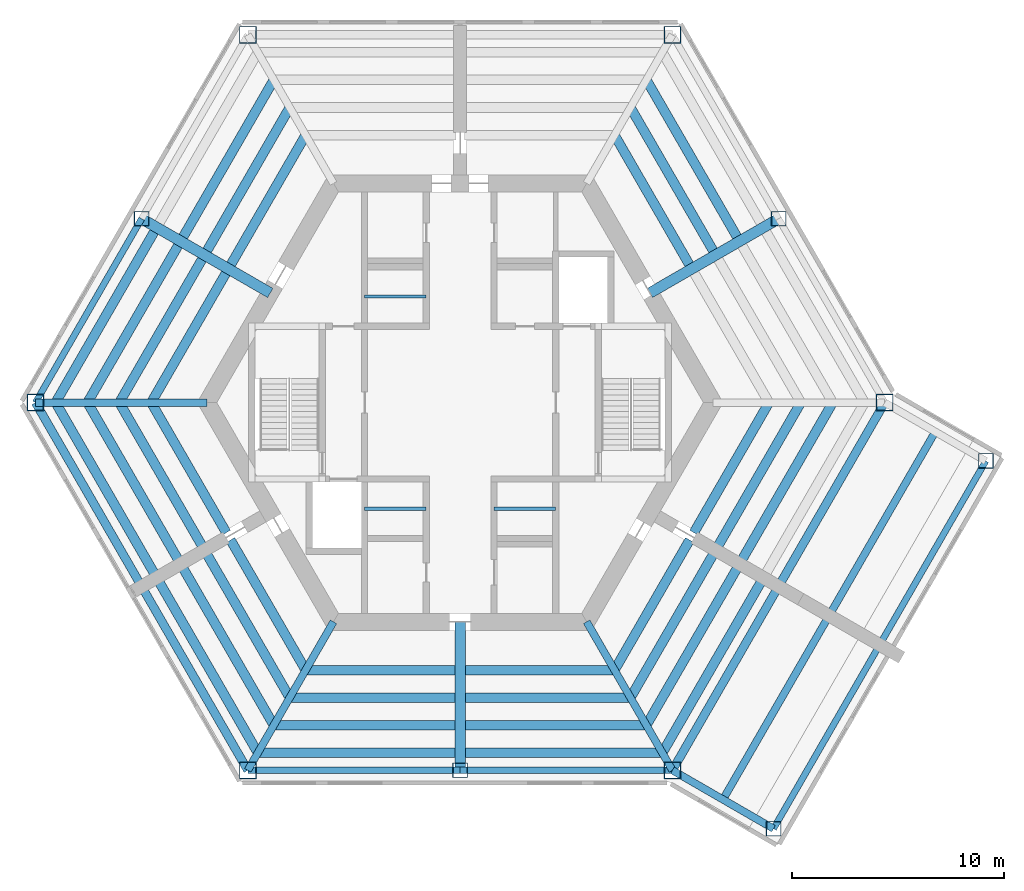
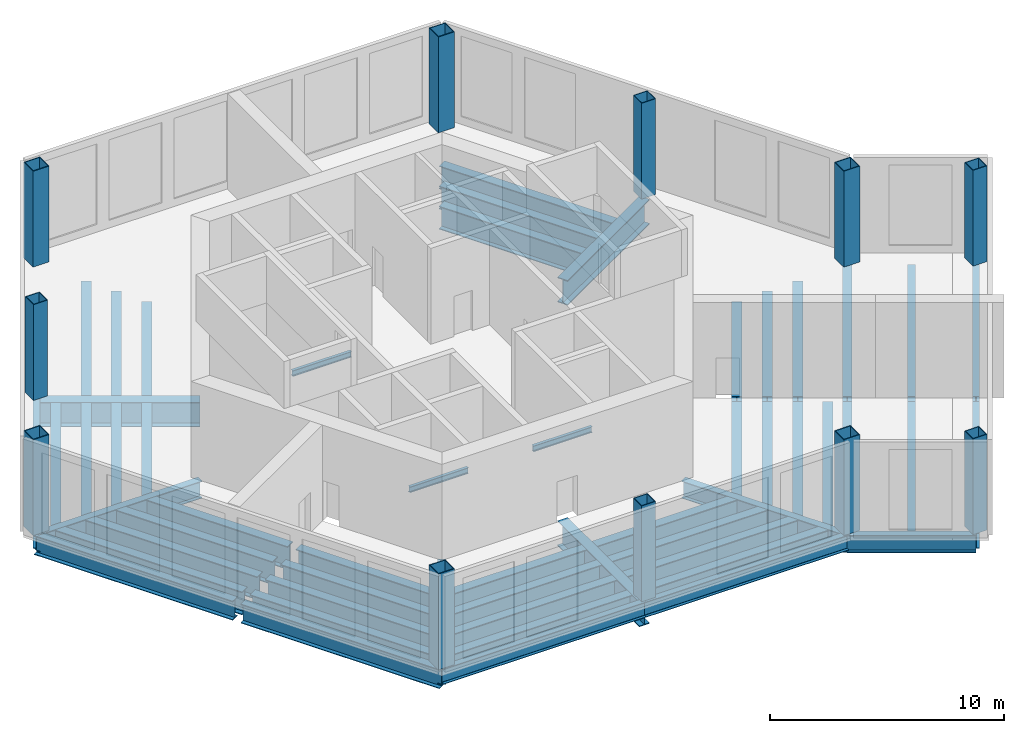
# One storey, part 1 of 8: 54 beams, 11 columns.
"""IFC4 building model written with IfcOpenShell, lengths in metres."""

import ifcopenshell
import ifcopenshell.guid

model = None  # the IFC model being written
_history = None  # IfcOwnerHistory: only IFC2X3 demands one
_inside = {}  # id of a spatial element -> (the spatial element, [elements in it])
_under = {}  # id of a project, library or spatial element -> (it, [spatial elements below it])
_declared = {}  # id of a project -> (the project, [libraries it declares])
_typed = {}  # id of a type object -> (the type object, [elements of that type])
_made_of = {}  # id of a material, layer set ... -> (it, [elements and type objects made of it])


def new_model(schema):
    """Start an empty IFC model of exactly this schema.

    Asked for "IFC4X3", IfcOpenShell would pick the latest addendum, in which some entities
    have other attributes; the version numbers below select the first issue.
    IFC2X3 requires an IfcOwnerHistory on every rooted entity: one is made here for all.
    """
    global model, _history
    if schema == "IFC4X3":
        model = ifcopenshell.file(schema_version=(4, 3, 0, 0))
    else:
        model = ifcopenshell.file(schema=schema)
    _inside.clear()
    _under.clear()
    _declared.clear()
    _typed.clear()
    _made_of.clear()
    _history = None
    if model.schema == "IFC2X3":
        org = make("IfcOrganization", Name="unknown")
        user = make(
            "IfcPersonAndOrganization",
            ThePerson=make("IfcPerson", FamilyName="unknown"),
            TheOrganization=org,
        )
        app = make(
            "IfcApplication",
            ApplicationDeveloper=org,
            Version="unknown",
            ApplicationFullName="unknown",
            ApplicationIdentifier="unknown",
        )
        _history = make(
            "IfcOwnerHistory",
            OwningUser=user,
            OwningApplication=app,
            ChangeAction="ADDED",
            CreationDate=0,
        )
    return model


def make(cls, **values):
    """One entity of the class cls with the attributes given. An attribute that is None is left unset."""
    return model.create_entity(
        cls, **{name: value for name, value in values.items() if value is not None}
    )


def rooted(cls, **values):
    """An entity with a GlobalId (a new one), such as an element, a storey or a relation."""
    return make(cls, GlobalId=ifcopenshell.guid.new(), OwnerHistory=_history, **values)


def si_unit(unit_type, name, prefix=None):
    """IfcSIUnit, for example si_unit("LENGTHUNIT", "METRE", prefix="MILLI")."""
    return make("IfcSIUnit", UnitType=unit_type, Prefix=prefix, Name=name)


def assignment(units):
    """IfcUnitAssignment: the units of a project."""
    return None if units is None else make("IfcUnitAssignment", Units=units)


def point(xyz):
    """IfcCartesianPoint."""
    return None if xyz is None else make("IfcCartesianPoint", Coordinates=xyz)


def direction(xyz):
    """IfcDirection."""
    return None if xyz is None else make("IfcDirection", DirectionRatios=xyz)


def frame(location, z_axis=None, x_axis=None):
    """IfcAxis2Placement3D, a coordinate frame: its origin and axes. An axis left out is left unset."""
    return make(
        "IfcAxis2Placement3D",
        Location=point(location),
        Axis=direction(z_axis),
        RefDirection=direction(x_axis),
    )


def frame_2d(location, x_axis=None):
    """IfcAxis2Placement2D, a coordinate frame in the plane: its origin and x axis."""
    return make(
        "IfcAxis2Placement2D", Location=point(location), RefDirection=direction(x_axis)
    )


def origin():
    """The frame at (0, 0, 0) with its axes left unset."""
    return frame((0.0, 0.0, 0.0))


def origin_2d():
    """The frame at (0, 0) in the plane with its x axis left unset."""
    return frame_2d((0.0, 0.0))


def place(relative_to, where):
    """IfcLocalPlacement: puts the frame where relative to a parent placement (None: the world)."""
    return make(
        "IfcLocalPlacement", PlacementRelTo=relative_to, RelativePlacement=where
    )


def context(
    kind, dimensions, precision=None, world=None, true_north=None, identifier=None
):
    """IfcGeometricRepresentationContext, for example the 3D "Model" context."""
    return make(
        "IfcGeometricRepresentationContext",
        ContextIdentifier=identifier,
        ContextType=kind,
        CoordinateSpaceDimension=dimensions,
        Precision=precision,
        WorldCoordinateSystem=world,
        TrueNorth=true_north,
    )


def subcontext(parent, identifier, kind, view, scale=None):
    """IfcGeometricRepresentationSubContext, for example "Body" below "Model"."""
    return make(
        "IfcGeometricRepresentationSubContext",
        ContextIdentifier=identifier,
        ContextType=kind,
        ParentContext=parent,
        TargetScale=scale,
        TargetView=view,
    )


def project(units=None, contexts=None):
    """IfcProject with its units and contexts."""
    return rooted(
        "IfcProject",
        Name="project",
        RepresentationContexts=contexts,
        UnitsInContext=assignment(units),
    )


def spatial(cls, under=None, at=None, **own):
    """A site, building, storey or space (cls), placed at a placement, below another one or the project."""
    s = rooted(cls, ObjectPlacement=at, **own)
    if under is not None:
        _under.setdefault(under.id(), (under, []))[1].append(s)
    return s


def profile(cls, at=None, kind="AREA", **sizes):
    """A parametric profile (cls). Its sizes go by their IFC names, for example OverallWidth=200.0."""
    return make(cls, ProfileType=kind, Position=at, **sizes)


def hollow_rectangle(**sizes):
    """IfcRectangleHollowProfileDef."""
    return profile("IfcRectangleHollowProfileDef", **sizes)


def i_section(**sizes):
    """IfcIShapeProfileDef."""
    return profile("IfcIShapeProfileDef", **sizes)


def extrude(swept, where, along, depth):
    """IfcExtrudedAreaSolid: the profile swept, set in the frame where, extruded along a direction by depth."""
    return make(
        "IfcExtrudedAreaSolid",
        SweptArea=swept,
        Position=where,
        ExtrudedDirection=direction(along),
        Depth=depth,
    )


def shape(context_of_items, identifier, shape_type, items):
    """IfcShapeRepresentation: the items that make up one representation, for example the "Body"."""
    return make(
        "IfcShapeRepresentation",
        ContextOfItems=context_of_items,
        RepresentationIdentifier=identifier,
        RepresentationType=shape_type,
        Items=items,
    )


def material(Name=None, Category=None):
    """IfcMaterial."""
    return make("IfcMaterial", Name=Name, Category=Category)


def material_profile(
    of_material, cross_section, Name=None, Category=None, Priority=None
):
    """IfcMaterialProfile: a cross section and its material."""
    return make(
        "IfcMaterialProfile",
        Name=Name,
        Material=of_material,
        Profile=cross_section,
        Priority=Priority,
        Category=Category,
    )


def profile_set(profiles, Name=None, composite=None):
    """IfcMaterialProfileSet."""
    return make(
        "IfcMaterialProfileSet",
        Name=Name,
        MaterialProfiles=profiles,
        CompositeProfile=composite,
    )


def made_of(thing, what):
    """Note that an element or type object is made of a material, layer set ...; save() writes the relation."""
    if what is not None:
        _made_of.setdefault(what.id(), (what, []))[1].append(thing)
    return thing


def type_object(cls, material=None, **own):
    """A type object (cls), such as IfcWallType, which elements share."""
    return made_of(rooted(cls, **own), material)


def element(
    cls,
    number,
    at=None,
    inside=None,
    cuts=None,
    type_object=None,
    material=None,
    context=None,
    identifier="Body",
    shape_type=None,
    held_by="IfcProductDefinitionShape",
    body=None,
    shapes=None,
    **own,
):
    """One element of the class cls, such as IfcWall. Its Tag is "e" and its number.

    at: its placement. inside: the storey or other place that contains it. cuts: it is an
    opening in that element (IfcRelVoidsElement). A single representation is given by context,
    identifier, shape_type and body (its items); several are given by shapes. held_by: the class
    of the entity that holds the representations. save() writes the other relations.
    """
    e = rooted(cls, Tag="e%d" % number, ObjectPlacement=at, **own)
    if body is not None:
        shapes = [shape(context, identifier, shape_type, body)]
    if shapes is not None:
        e.Representation = make(held_by, Representations=shapes)
    if inside is not None:
        _inside.setdefault(inside.id(), (inside, []))[1].append(e)
    if cuts is not None:
        rooted(
            "IfcRelVoidsElement", RelatingBuildingElement=cuts, RelatedOpeningElement=e
        )
    if type_object is not None:
        _typed.setdefault(type_object.id(), (type_object, []))[1].append(e)
    return made_of(e, material)


def aggregate(whole, parts):
    """IfcRelAggregates: a whole, such as a stair, and the parts it consists of."""
    return rooted("IfcRelAggregates", RelatingObject=whole, RelatedObjects=parts)


def save(model, path):
    """Write the relations noted so far, then the file.

    IfcRelAggregates (storeys below a building ...), IfcRelContainedInSpatialStructure (elements
    in a storey), IfcRelDefinesByType, IfcRelAssociatesMaterial and IfcRelDeclares: one each for
    every whole, place, type object, material and project.
    """
    for whole, parts in _under.values():
        aggregate(whole, parts)
    for where, things in _inside.values():
        rooted(
            "IfcRelContainedInSpatialStructure",
            RelatedElements=things,
            RelatingStructure=where,
        )
    for kind, things in _typed.values():
        rooted("IfcRelDefinesByType", RelatedObjects=things, RelatingType=kind)
    for what, things in _made_of.values():
        rooted("IfcRelAssociatesMaterial", RelatedObjects=things, RelatingMaterial=what)
    for by, libraries in _declared.values():
        rooted("IfcRelDeclares", RelatingContext=by, RelatedDefinitions=libraries)
    model.write(path)


model = new_model("IFC4")

# Units and contexts
model_context = context("Model", 3, precision=1e-05, world=origin(), true_north=direction((0.0, 1.0)))
body_context = subcontext(model_context, "Body", "Model", "MODEL_VIEW")
ifc_project = project(units=[si_unit("LENGTHUNIT", "METRE"), si_unit("AREAUNIT", "SQUARE_METRE"), si_unit("VOLUMEUNIT", "CUBIC_METRE"), si_unit("PLANEANGLEUNIT", "RADIAN"), si_unit("MASSUNIT", "GRAM", prefix="KILO")], contexts=[model_context])

# Site, building, storey
site_placement = place(None, origin())
site = spatial("IfcSite", under=ifc_project, at=site_placement, CompositionType="ELEMENT")
building_placement = place(site_placement, origin())
building = spatial("IfcBuilding", under=site, at=building_placement, Name="Kasaneha Research Tower", CompositionType="ELEMENT")
storey_placement = place(building_placement, frame((0.0, 0.0, 302.5)))
storey = spatial("IfcBuildingStorey", under=building, at=storey_placement, Name="L76", CompositionType="ELEMENT", Elevation=302.5)

# Columns
ifc_material_1 = material(Name="Steel SN490C", Category="steel")
ifc_material_profile_1 = material_profile(ifc_material_1, hollow_rectangle(XDim=0.800048828125, YDim=0.800048828125, WallThickness=0.0400390625, at=origin_2d()), Name="BOX-800x800x40")
ifc_profile_set_1 = profile_set([ifc_material_profile_1], Name="Steel SN490C")
column_type_1 = type_object("IfcColumnType", Name="C4A column BOX-800x800x40", PredefinedType="COLUMN", material=ifc_profile_set_1)
for number, where, z_axis, x_axis, name in (
    (1, (20.0, 0.0, 0.0), (0.0, 0.0, 1.0), (1.0, 0.0, 0.0), "Column V0 L76"),
    (2, (10.0, 17.320556640625, 0.0), (0.0, 0.0, 1.0), (1.0, 0.0, 0.0), "Column V1 L76"),
    (3, (-10.0, 17.320556640625, 0.0), (0.0, 0.0, 1.0), (1.0, 0.0, 0.0), "Column V2 L76"),
    (4, (-20.0, 0.0, 0.0), (0.0, 0.0, 1.0), (1.0, 0.0, 0.0), "Column V3 L76"),
    (5, (-10.0, -17.320556640625, 0.0), (0.0, 0.0, 1.0), (1.0, 0.0, 0.0), "Column V4 L76"),
    (6, (10.0, -17.320556640625, 0.0), (0.0, 0.0, 1.0), (1.0, 0.0, 0.0), "Column V5 L76"),
):
    element("IfcColumn", number, at=place(storey_placement, frame(where, z_axis=z_axis, x_axis=x_axis)), inside=storey, type_object=column_type_1, Name=name, PredefinedType="COLUMN", context=body_context, shape_type="SweptSolid", body=[
        extrude(hollow_rectangle(XDim=0.800048828125, YDim=0.800048828125, WallThickness=0.0400390625, at=origin_2d()), origin(), (0.0, 0.0, 1.0), 5.0),
    ])
ifc_material_2 = material(Name="Steel SN490C", Category="steel")
ifc_material_profile_2 = material_profile(ifc_material_2, hollow_rectangle(XDim=0.699951171875, YDim=0.699951171875, WallThickness=0.031982421875, at=origin_2d()), Name="BOX-700x700x32")
ifc_profile_set_2 = profile_set([ifc_material_profile_2], Name="Steel SN490C")
column_type_2 = type_object("IfcColumnType", Name="C4B column BOX-700x700x32", PredefinedType="COLUMN", material=ifc_profile_set_2)
for number, where, z_axis, x_axis, name in (
    (7, (15.0, 8.66015625, 0.0), (0.0, 0.0, 1.0), (1.0, 0.0, 0.0), "Column M030 L76"),
    (8, (-15.0, 8.66015625, 0.0), (0.0, 0.0, 1.0), (1.0, 0.0, 0.0), "Column M150 L76"),
    (9, (0.0, -17.320556640625, 0.0), (0.0, 0.0, 1.0), (1.0, 0.0, 0.0), "Column M270 L76"),
    (10, (14.76318359375, -20.070556640625, 0.0), (0.0, 0.0, 1.0), (1.0, 0.0, 0.0), "Column CSP L76"),
    (11, (24.76318359375, -2.75, 0.0), (0.0, 0.0, 1.0), (1.0, 0.0, 0.0), "Column CSN L76"),
):
    element("IfcColumn", number, at=place(storey_placement, frame(where, z_axis=z_axis, x_axis=x_axis)), inside=storey, type_object=column_type_2, Name=name, PredefinedType="COLUMN", context=body_context, shape_type="SweptSolid", body=[
        extrude(hollow_rectangle(XDim=0.699951171875, YDim=0.699951171875, WallThickness=0.031982421875, at=origin_2d()), origin(), (0.0, 0.0, 1.0), 5.0),
    ])

# Beams
ifc_material_3 = material(Name="Steel SN490B", Category="steel")
ifc_material_profile_3 = material_profile(ifc_material_3, i_section(OverallWidth=0.449951171875, OverallDepth=1.199951171875, WebThickness=0.02197265625, FlangeThickness=0.0400390625, at=origin_2d()), Name="BH-1200x450x22x40")
ifc_profile_set_3 = profile_set([ifc_material_profile_3], Name="Steel SN490B")
beam_type_1 = type_object("IfcBeamType", Name="B1-5 secondary beam BH-1200x450x22x40", PredefinedType="JOIST", material=ifc_profile_set_3)
beam_1_placement = place(storey_placement, frame((7.274658203125, 12.60009765625, -0.85009765625), z_axis=(0.499989208252, -0.866031634313, 0.0), x_axis=(0.866031634313, 0.499989208252, 0.0)))
element("IfcBeam", 12, at=beam_1_placement, inside=storey, type_object=beam_type_1, Name="Secondary beam RS030R1 L76", PredefinedType="JOIST", context=body_context, shape_type="SweptSolid", body=[
    extrude(i_section(OverallWidth=0.449951171875, OverallDepth=1.199951171875, WebThickness=0.02197265625, FlangeThickness=0.0400390625, at=origin_2d()), origin(), (0.0, 0.0, 1.0), 7.024658203125),
])
beam_2_placement = place(storey_placement, frame((8.025146484375, 13.89990234375, -0.85009765625), z_axis=(0.500016004, -0.866016163673, 0.0), x_axis=(0.866016163673, 0.500016004, 0.0)))
element("IfcBeam", 13, at=beam_2_placement, inside=storey, type_object=beam_type_1, Name="Secondary beam RS030R2 L76", PredefinedType="JOIST", context=body_context, shape_type="SweptSolid", body=[
    extrude(i_section(OverallWidth=0.449951171875, OverallDepth=1.199951171875, WebThickness=0.02197265625, FlangeThickness=0.0400390625, at=origin_2d()), origin(), (0.0, 0.0, 1.0), 7.775146484375),
])
beam_3_placement = place(storey_placement, frame((8.775634765625, 15.199951171875, -0.85009765625), z_axis=(0.500004205306, -0.866022975836, 0.0), x_axis=(0.866022975836, 0.500004205306, 0.0)))
element("IfcBeam", 14, at=beam_3_placement, inside=storey, type_object=beam_type_1, Name="Secondary beam RS030R3 L76", PredefinedType="JOIST", context=body_context, shape_type="SweptSolid", body=[
    extrude(i_section(OverallWidth=0.449951171875, OverallDepth=1.199951171875, WebThickness=0.02197265625, FlangeThickness=0.0400390625, at=origin_2d()), origin(), (0.0, 0.0, 1.0), 8.52587890625),
])
beam_4_placement = place(storey_placement, frame((-7.274658203125, 12.60009765625, -0.85009765625), z_axis=(-0.499989208252, -0.866031634313, 0.0), x_axis=(0.866031634313, -0.499989208252, 0.0)))
element("IfcBeam", 15, at=beam_4_placement, inside=storey, type_object=beam_type_1, Name="Secondary beam RS150L1 L76", PredefinedType="JOIST", context=body_context, shape_type="SweptSolid", body=[
    extrude(i_section(OverallWidth=0.449951171875, OverallDepth=1.199951171875, WebThickness=0.02197265625, FlangeThickness=0.0400390625, at=origin_2d()), origin(), (0.0, 0.0, 1.0), 7.024658203125),
])
beam_5_placement = place(storey_placement, frame((-8.025146484375, 13.89990234375, -0.85009765625), z_axis=(-0.500016004, -0.866016163673, 0.0), x_axis=(0.866016163673, -0.500016004, 0.0)))
element("IfcBeam", 16, at=beam_5_placement, inside=storey, type_object=beam_type_1, Name="Secondary beam RS150L2 L76", PredefinedType="JOIST", context=body_context, shape_type="SweptSolid", body=[
    extrude(i_section(OverallWidth=0.449951171875, OverallDepth=1.199951171875, WebThickness=0.02197265625, FlangeThickness=0.0400390625, at=origin_2d()), origin(), (0.0, 0.0, 1.0), 7.775146484375),
])
beam_6_placement = place(storey_placement, frame((-8.775634765625, 15.199951171875, -0.85009765625), z_axis=(-0.500004205306, -0.866022975836, 0.0), x_axis=(0.866022975836, -0.500004205306, 0.0)))
element("IfcBeam", 17, at=beam_6_placement, inside=storey, type_object=beam_type_1, Name="Secondary beam RS150L3 L76", PredefinedType="JOIST", context=body_context, shape_type="SweptSolid", body=[
    extrude(i_section(OverallWidth=0.449951171875, OverallDepth=1.199951171875, WebThickness=0.02197265625, FlangeThickness=0.0400390625, at=origin_2d()), origin(), (0.0, 0.0, 1.0), 8.52587890625),
])
beam_7_placement = place(storey_placement, frame((-14.54931640625, 0.0, -0.85009765625), z_axis=(0.500015274395, 0.866016584929, 0.0), x_axis=(-0.866016584929, 0.500015274395, 0.0)))
element("IfcBeam", 18, at=beam_7_placement, inside=storey, type_object=beam_type_1, Name="Secondary beam RS150R1 L76", PredefinedType="JOIST", context=body_context, shape_type="SweptSolid", body=[
    extrude(i_section(OverallWidth=0.449951171875, OverallDepth=1.199951171875, WebThickness=0.02197265625, FlangeThickness=0.0400390625, at=origin_2d()), origin(), (0.0, 0.0, 1.0), 7.024658203125),
])
beam_8_placement = place(storey_placement, frame((-16.05029296875, 0.0, -0.85009765625), z_axis=(0.499992453835, 0.866029760521, 0.0), x_axis=(-0.866029760521, 0.499992453835, 0.0)))
element("IfcBeam", 19, at=beam_8_placement, inside=storey, type_object=beam_type_1, Name="Secondary beam RS150R2 L76", PredefinedType="JOIST", context=body_context, shape_type="SweptSolid", body=[
    extrude(i_section(OverallWidth=0.449951171875, OverallDepth=1.199951171875, WebThickness=0.02197265625, FlangeThickness=0.0400390625, at=origin_2d()), origin(), (0.0, 0.0, 1.0), 7.77490234375),
])
beam_9_placement = place(storey_placement, frame((-17.551513671875, 0.0, -0.85009765625), z_axis=(0.500004205306, 0.866022975836, 0.0), x_axis=(-0.866022975836, 0.500004205306, 0.0)))
element("IfcBeam", 20, at=beam_9_placement, inside=storey, type_object=beam_type_1, Name="Secondary beam RS150R3 L76", PredefinedType="JOIST", context=body_context, shape_type="SweptSolid", body=[
    extrude(i_section(OverallWidth=0.449951171875, OverallDepth=1.199951171875, WebThickness=0.02197265625, FlangeThickness=0.0400390625, at=origin_2d()), origin(), (0.0, 0.0, 1.0), 8.52587890625),
])
beam_10_placement = place(storey_placement, frame((-19.052490234375, 0.0, -0.85009765625), z_axis=(0.500005712346, 0.866022105735, 0.0), x_axis=(-0.866022105735, 0.500005712346, 0.0)))
element("IfcBeam", 21, at=beam_10_placement, inside=storey, type_object=beam_type_1, Name="Secondary beam RS150R4 L76", PredefinedType="JOIST", context=body_context, shape_type="SweptSolid", body=[
    extrude(i_section(OverallWidth=0.449951171875, OverallDepth=1.199951171875, WebThickness=0.02197265625, FlangeThickness=0.0400390625, at=origin_2d()), origin(), (0.0, 0.0, 1.0), 9.2763671875),
])
beam_11_placement = place(storey_placement, frame((-14.54931640625, 0.0, -0.85009765625), z_axis=(0.500010223309, -0.866019501273, 0.0), x_axis=(0.866019501273, 0.500010223309, 0.0)))
element("IfcBeam", 22, at=beam_11_placement, inside=storey, type_object=beam_type_1, Name="Secondary beam RS210L1 L76", PredefinedType="JOIST", context=body_context, shape_type="SweptSolid", body=[
    extrude(i_section(OverallWidth=0.449951171875, OverallDepth=1.199951171875, WebThickness=0.02197265625, FlangeThickness=0.0400390625, at=origin_2d()), origin(), (0.0, 0.0, 1.0), 7.074462890625),
])
beam_12_placement = place(storey_placement, frame((-16.05029296875, 0.0, -0.85009765625), z_axis=(0.499997922785, -0.866026603062, 0.0), x_axis=(0.866026603062, 0.499997922785, 0.0)))
element("IfcBeam", 23, at=beam_12_placement, inside=storey, type_object=beam_type_1, Name="Secondary beam RS210L2 L76", PredefinedType="JOIST", context=body_context, shape_type="SweptSolid", body=[
    extrude(i_section(OverallWidth=0.449951171875, OverallDepth=1.199951171875, WebThickness=0.02197265625, FlangeThickness=0.0400390625, at=origin_2d()), origin(), (0.0, 0.0, 1.0), 7.8251953125),
])
beam_13_placement = place(storey_placement, frame((-17.551513671875, 0.0, -0.85009765625), z_axis=(0.500000102728, -0.866025344474, 0.0), x_axis=(0.866025344474, 0.500000102728, 0.0)))
element("IfcBeam", 24, at=beam_13_placement, inside=storey, type_object=beam_type_1, Name="Secondary beam RS210L3 L76", PredefinedType="JOIST", context=body_context, shape_type="SweptSolid", body=[
    extrude(i_section(OverallWidth=0.449951171875, OverallDepth=1.199951171875, WebThickness=0.02197265625, FlangeThickness=0.0400390625, at=origin_2d()), origin(), (0.0, 0.0, 1.0), 8.57568359375),
])
beam_14_placement = place(storey_placement, frame((-19.052490234375, 0.0, -0.85009765625), z_axis=(0.499990596569, -0.86603083279, 0.0), x_axis=(0.86603083279, 0.499990596569, 0.0)))
element("IfcBeam", 25, at=beam_14_placement, inside=storey, type_object=beam_type_1, Name="Secondary beam RS210L4 L76", PredefinedType="JOIST", context=body_context, shape_type="SweptSolid", body=[
    extrude(i_section(OverallWidth=0.449951171875, OverallDepth=1.199951171875, WebThickness=0.02197265625, FlangeThickness=0.0400390625, at=origin_2d()), origin(), (0.0, 0.0, 1.0), 9.326416015625),
])
beam_15_placement = place(storey_placement, frame((-7.274658203125, -12.60009765625, -0.85009765625), z_axis=(-0.499995280364, 0.86602812865, 0.0), x_axis=(-0.86602812865, -0.499995280364, 0.0)))
element("IfcBeam", 26, at=beam_15_placement, inside=storey, type_object=beam_type_1, Name="Secondary beam RS210R1 L76", PredefinedType="JOIST", context=body_context, shape_type="SweptSolid", body=[
    extrude(i_section(OverallWidth=0.449951171875, OverallDepth=1.199951171875, WebThickness=0.02197265625, FlangeThickness=0.0400390625, at=origin_2d()), origin(), (0.0, 0.0, 1.0), 7.07470703125),
])
beam_16_placement = place(storey_placement, frame((-8.025146484375, -13.89990234375, -0.85009765625), z_axis=(-0.500011432689, 0.866018803018, 0.0), x_axis=(-0.866018803018, -0.500011432689, 0.0)))
element("IfcBeam", 27, at=beam_16_placement, inside=storey, type_object=beam_type_1, Name="Secondary beam RS210R2 L76", PredefinedType="JOIST", context=body_context, shape_type="SweptSolid", body=[
    extrude(i_section(OverallWidth=0.449951171875, OverallDepth=1.199951171875, WebThickness=0.02197265625, FlangeThickness=0.0400390625, at=origin_2d()), origin(), (0.0, 0.0, 1.0), 7.824951171875),
])
beam_17_placement = place(storey_placement, frame((-8.775634765625, -15.199951171875, -0.85009765625), z_axis=(-0.500000102728, 0.866025344474, 0.0), x_axis=(-0.866025344474, -0.500000102728, 0.0)))
element("IfcBeam", 28, at=beam_17_placement, inside=storey, type_object=beam_type_1, Name="Secondary beam RS210R3 L76", PredefinedType="JOIST", context=body_context, shape_type="SweptSolid", body=[
    extrude(i_section(OverallWidth=0.449951171875, OverallDepth=1.199951171875, WebThickness=0.02197265625, FlangeThickness=0.0400390625, at=origin_2d()), origin(), (0.0, 0.0, 1.0), 8.57568359375),
])
beam_18_placement = place(storey_placement, frame((-9.5263671875, -16.5, -0.85009765625), z_axis=(-0.499990596569, 0.86603083279, 0.0), x_axis=(-0.86603083279, -0.499990596569, 0.0)))
element("IfcBeam", 29, at=beam_18_placement, inside=storey, type_object=beam_type_1, Name="Secondary beam RS210R4 L76", PredefinedType="JOIST", context=body_context, shape_type="SweptSolid", body=[
    extrude(i_section(OverallWidth=0.449951171875, OverallDepth=1.199951171875, WebThickness=0.02197265625, FlangeThickness=0.0400390625, at=origin_2d()), origin(), (0.0, 0.0, 1.0), 9.326416015625),
])
beam_19_placement = place(storey_placement, frame((-7.274658203125, -12.60009765625, -0.85009765625), z_axis=(1.0, 0.0, 0.0), x_axis=(0.0, 1.0, 0.0)))
element("IfcBeam", 30, at=beam_19_placement, inside=storey, type_object=beam_type_1, Name="Secondary beam RS270L1 L76", PredefinedType="JOIST", context=body_context, shape_type="SweptSolid", body=[
    extrude(i_section(OverallWidth=0.449951171875, OverallDepth=1.199951171875, WebThickness=0.02197265625, FlangeThickness=0.0400390625, at=origin_2d()), origin(), (0.0, 0.0, 1.0), 7.024658203125),
])
beam_20_placement = place(storey_placement, frame((-8.025146484375, -13.89990234375, -0.85009765625), z_axis=(1.0, 0.0, 0.0), x_axis=(0.0, 1.0, 0.0)))
element("IfcBeam", 31, at=beam_20_placement, inside=storey, type_object=beam_type_1, Name="Secondary beam RS270L2 L76", PredefinedType="JOIST", context=body_context, shape_type="SweptSolid", body=[
    extrude(i_section(OverallWidth=0.449951171875, OverallDepth=1.199951171875, WebThickness=0.02197265625, FlangeThickness=0.0400390625, at=origin_2d()), origin(), (0.0, 0.0, 1.0), 7.775146484375),
])
beam_21_placement = place(storey_placement, frame((-8.775634765625, -15.199951171875, -0.85009765625), z_axis=(1.0, 0.0, 0.0), x_axis=(0.0, 1.0, 0.0)))
element("IfcBeam", 32, at=beam_21_placement, inside=storey, type_object=beam_type_1, Name="Secondary beam RS270L3 L76", PredefinedType="JOIST", context=body_context, shape_type="SweptSolid", body=[
    extrude(i_section(OverallWidth=0.449951171875, OverallDepth=1.199951171875, WebThickness=0.02197265625, FlangeThickness=0.0400390625, at=origin_2d()), origin(), (0.0, 0.0, 1.0), 8.525634765625),
])
beam_22_placement = place(storey_placement, frame((-9.5263671875, -16.5, -0.85009765625), z_axis=(1.0, 0.0, 0.0), x_axis=(0.0, 1.0, 0.0)))
element("IfcBeam", 33, at=beam_22_placement, inside=storey, type_object=beam_type_1, Name="Secondary beam RS270L4 L76", PredefinedType="JOIST", context=body_context, shape_type="SweptSolid", body=[
    extrude(i_section(OverallWidth=0.449951171875, OverallDepth=1.199951171875, WebThickness=0.02197265625, FlangeThickness=0.0400390625, at=origin_2d()), origin(), (0.0, 0.0, 1.0), 9.2763671875),
])
beam_23_placement = place(storey_placement, frame((7.274658203125, -12.60009765625, -0.85009765625), z_axis=(-1.0, 0.0, 0.0), x_axis=(0.0, -1.0, 0.0)))
element("IfcBeam", 34, at=beam_23_placement, inside=storey, type_object=beam_type_1, Name="Secondary beam RS270R1 L76", PredefinedType="JOIST", context=body_context, shape_type="SweptSolid", body=[
    extrude(i_section(OverallWidth=0.449951171875, OverallDepth=1.199951171875, WebThickness=0.02197265625, FlangeThickness=0.0400390625, at=origin_2d()), origin(), (0.0, 0.0, 1.0), 7.024658203125),
])
beam_24_placement = place(storey_placement, frame((8.025146484375, -13.89990234375, -0.85009765625), z_axis=(-1.0, 0.0, 0.0), x_axis=(0.0, -1.0, 0.0)))
element("IfcBeam", 35, at=beam_24_placement, inside=storey, type_object=beam_type_1, Name="Secondary beam RS270R2 L76", PredefinedType="JOIST", context=body_context, shape_type="SweptSolid", body=[
    extrude(i_section(OverallWidth=0.449951171875, OverallDepth=1.199951171875, WebThickness=0.02197265625, FlangeThickness=0.0400390625, at=origin_2d()), origin(), (0.0, 0.0, 1.0), 7.775146484375),
])
beam_25_placement = place(storey_placement, frame((8.775634765625, -15.199951171875, -0.85009765625), z_axis=(-1.0, 0.0, 0.0), x_axis=(0.0, -1.0, 0.0)))
element("IfcBeam", 36, at=beam_25_placement, inside=storey, type_object=beam_type_1, Name="Secondary beam RS270R3 L76", PredefinedType="JOIST", context=body_context, shape_type="SweptSolid", body=[
    extrude(i_section(OverallWidth=0.449951171875, OverallDepth=1.199951171875, WebThickness=0.02197265625, FlangeThickness=0.0400390625, at=origin_2d()), origin(), (0.0, 0.0, 1.0), 8.525634765625),
])
beam_26_placement = place(storey_placement, frame((9.5263671875, -16.5, -0.85009765625), z_axis=(-1.0, 0.0, 0.0), x_axis=(0.0, -1.0, 0.0)))
element("IfcBeam", 37, at=beam_26_placement, inside=storey, type_object=beam_type_1, Name="Secondary beam RS270R4 L76", PredefinedType="JOIST", context=body_context, shape_type="SweptSolid", body=[
    extrude(i_section(OverallWidth=0.449951171875, OverallDepth=1.199951171875, WebThickness=0.02197265625, FlangeThickness=0.0400390625, at=origin_2d()), origin(), (0.0, 0.0, 1.0), 9.2763671875),
])
beam_27_placement = place(storey_placement, frame((7.274658203125, -12.60009765625, -0.85009765625), z_axis=(0.499995280364, 0.86602812865, 0.0), x_axis=(-0.86602812865, 0.499995280364, 0.0)))
element("IfcBeam", 38, at=beam_27_placement, inside=storey, type_object=beam_type_1, Name="Secondary beam RS330L1 L76", PredefinedType="JOIST", context=body_context, shape_type="SweptSolid", body=[
    extrude(i_section(OverallWidth=0.449951171875, OverallDepth=1.199951171875, WebThickness=0.02197265625, FlangeThickness=0.0400390625, at=origin_2d()), origin(), (0.0, 0.0, 1.0), 7.07470703125),
])
beam_28_placement = place(storey_placement, frame((8.025146484375, -13.89990234375, -0.85009765625), z_axis=(0.500011432689, 0.866018803018, 0.0), x_axis=(-0.866018803018, 0.500011432689, 0.0)))
element("IfcBeam", 39, at=beam_28_placement, inside=storey, type_object=beam_type_1, Name="Secondary beam RS330L2 L76", PredefinedType="JOIST", context=body_context, shape_type="SweptSolid", body=[
    extrude(i_section(OverallWidth=0.449951171875, OverallDepth=1.199951171875, WebThickness=0.02197265625, FlangeThickness=0.0400390625, at=origin_2d()), origin(), (0.0, 0.0, 1.0), 7.824951171875),
])
beam_29_placement = place(storey_placement, frame((8.775634765625, -15.199951171875, -0.85009765625), z_axis=(0.500000102728, 0.866025344474, 0.0), x_axis=(-0.866025344474, 0.500000102728, 0.0)))
element("IfcBeam", 40, at=beam_29_placement, inside=storey, type_object=beam_type_1, Name="Secondary beam RS330L3 L76", PredefinedType="JOIST", context=body_context, shape_type="SweptSolid", body=[
    extrude(i_section(OverallWidth=0.449951171875, OverallDepth=1.199951171875, WebThickness=0.02197265625, FlangeThickness=0.0400390625, at=origin_2d()), origin(), (0.0, 0.0, 1.0), 8.57568359375),
])
beam_30_placement = place(storey_placement, frame((9.5263671875, -16.5, -0.85009765625), z_axis=(0.499990596569, 0.86603083279, 0.0), x_axis=(-0.86603083279, 0.499990596569, 0.0)))
element("IfcBeam", 41, at=beam_30_placement, inside=storey, type_object=beam_type_1, Name="Secondary beam RS330L4 L76", PredefinedType="JOIST", context=body_context, shape_type="SweptSolid", body=[
    extrude(i_section(OverallWidth=0.449951171875, OverallDepth=1.199951171875, WebThickness=0.02197265625, FlangeThickness=0.0400390625, at=origin_2d()), origin(), (0.0, 0.0, 1.0), 9.326416015625),
])
beam_31_placement = place(storey_placement, frame((14.54931640625, 0.0, -0.85009765625), z_axis=(-0.500010223309, -0.866019501273, 0.0), x_axis=(0.866019501273, -0.500010223309, 0.0)))
element("IfcBeam", 42, at=beam_31_placement, inside=storey, type_object=beam_type_1, Name="Secondary beam RS330R1 L76", PredefinedType="JOIST", context=body_context, shape_type="SweptSolid", body=[
    extrude(i_section(OverallWidth=0.449951171875, OverallDepth=1.199951171875, WebThickness=0.02197265625, FlangeThickness=0.0400390625, at=origin_2d()), origin(), (0.0, 0.0, 1.0), 7.074462890625),
])
beam_32_placement = place(storey_placement, frame((16.05029296875, 0.0, -0.85009765625), z_axis=(-0.499997922785, -0.866026603062, 0.0), x_axis=(0.866026603062, -0.499997922785, 0.0)))
element("IfcBeam", 43, at=beam_32_placement, inside=storey, type_object=beam_type_1, Name="Secondary beam RS330R2 L76", PredefinedType="JOIST", context=body_context, shape_type="SweptSolid", body=[
    extrude(i_section(OverallWidth=0.449951171875, OverallDepth=1.199951171875, WebThickness=0.02197265625, FlangeThickness=0.0400390625, at=origin_2d()), origin(), (0.0, 0.0, 1.0), 7.8251953125),
])
beam_33_placement = place(storey_placement, frame((17.551513671875, 0.0, -0.85009765625), z_axis=(-0.500000102728, -0.866025344474, 0.0), x_axis=(0.866025344474, -0.500000102728, 0.0)))
element("IfcBeam", 44, at=beam_33_placement, inside=storey, type_object=beam_type_1, Name="Secondary beam RS330R3 L76", PredefinedType="JOIST", context=body_context, shape_type="SweptSolid", body=[
    extrude(i_section(OverallWidth=0.449951171875, OverallDepth=1.199951171875, WebThickness=0.02197265625, FlangeThickness=0.0400390625, at=origin_2d()), origin(), (0.0, 0.0, 1.0), 8.57568359375),
])
ifc_material_4 = material(Name="Steel SN490B", Category="steel")
ifc_material_profile_4 = material_profile(ifc_material_4, i_section(OverallWidth=0.35009765625, OverallDepth=0.89990234375, WebThickness=0.01611328125, FlangeThickness=0.031982421875, at=origin_2d()), Name="BH-900x350x16x32")
ifc_profile_set_4 = profile_set([ifc_material_profile_4], Name="Steel SN490B")
beam_type_2 = type_object("IfcBeamType", Name="B2-5 secondary beam BH-900x350x16x32", PredefinedType="JOIST", material=ifc_profile_set_4)
for number, where, z_axis, x_axis, name in (
    (45, (12.381591796875, -18.695556640625, -0.699951171875), (0.49999201416, 0.866030014362, 0.0), (-0.866030014362, 0.49999201416, 0.0), "Secondary beam WBCP1 L76"),
    (46, (22.381591796875, -1.375, -0.699951171875), (-0.49999201416, -0.866030014362, 0.0), (0.866030014362, -0.49999201416, 0.0), "Secondary beam WBCN1 L76"),
):
    element("IfcBeam", number, at=place(storey_placement, frame(where, z_axis=z_axis, x_axis=x_axis)), inside=storey, type_object=beam_type_2, Name=name, PredefinedType="JOIST", context=body_context, shape_type="SweptSolid", body=[
        extrude(i_section(OverallWidth=0.35009765625, OverallDepth=0.89990234375, WebThickness=0.01611328125, FlangeThickness=0.031982421875, at=origin_2d()), origin(), (0.0, 0.0, 1.0), 9.800048828125),
    ])
ifc_material_5 = material(Name="Steel SN490B", Category="steel")
ifc_material_profile_5 = material_profile(ifc_material_5, i_section(OverallWidth=0.35009765625, OverallDepth=0.89990234375, WebThickness=0.01611328125, FlangeThickness=0.031982421875, at=origin_2d()), Name="BH-900x350x16x32")
ifc_profile_set_5 = profile_set([ifc_material_profile_5], Name="Steel SN490B")
beam_type_3 = type_object("IfcBeamType", Name="G1-5 radial girder BH-900x350x16x32", PredefinedType="BEAM", material=ifc_profile_set_5)
beam_34_placement = place(storey_placement, frame((-11.92236328125, 0.0, -0.699951171875), z_axis=(-1.0, 0.0, 0.0), x_axis=(0.0, -1.0, 0.0)))
element("IfcBeam", 47, at=beam_34_placement, inside=storey, type_object=beam_type_3, Name="Radial girder RV180 L76", PredefinedType="BEAM", context=body_context, shape_type="SweptSolid", body=[
    extrude(i_section(OverallWidth=0.35009765625, OverallDepth=0.89990234375, WebThickness=0.01611328125, FlangeThickness=0.031982421875, at=origin_2d()), origin(), (0.0, 0.0, 1.0), 8.07763671875),
])
for number, where, z_axis, x_axis, name in (
    (48, (-5.961181640625, -10.324951171875, -0.699951171875), (-0.49999105496, -0.866030568144, 0.0), (0.866030568144, -0.49999105496, 0.0), "Radial girder RV240 L76"),
    (49, (5.961181640625, -10.324951171875, -0.699951171875), (0.49999105496, -0.866030568144, 0.0), (0.866030568144, 0.49999105496, 0.0), "Radial girder RV300 L76"),
):
    element("IfcBeam", number, at=place(storey_placement, frame(where, z_axis=z_axis, x_axis=x_axis)), inside=storey, type_object=beam_type_3, Name=name, PredefinedType="BEAM", context=body_context, shape_type="SweptSolid", body=[
        extrude(i_section(OverallWidth=0.35009765625, OverallDepth=0.89990234375, WebThickness=0.01611328125, FlangeThickness=0.031982421875, at=origin_2d()), origin(), (0.0, 0.0, 1.0), 8.077880859375),
    ])
ifc_material_6 = material(Name="Steel SN490B", Category="steel")
ifc_material_profile_6 = material_profile(ifc_material_6, i_section(OverallWidth=0.5, OverallDepth=1.300048828125, WebThickness=0.02197265625, FlangeThickness=0.044921875, at=origin_2d()), Name="BH-1300x500x22x45")
ifc_profile_set_6 = profile_set([ifc_material_profile_6], Name="Steel SN490B")
beam_type_4 = type_object("IfcBeamType", Name="G2-5 radial girder BH-1300x500x22x45", PredefinedType="BEAM", material=ifc_profile_set_6)
for number, where, z_axis, x_axis, name in (
    (50, (8.941650390625, 5.16259765625, -0.89990234375), (0.866039713508, 0.499975214012, 0.0), (-0.499975214012, 0.866039713508, 0.0), "Radial girder RM030 L76"),
    (51, (-8.941650390625, 5.16259765625, -0.89990234375), (-0.866039713508, 0.499975214012, 0.0), (-0.499975214012, -0.866039713508, 0.0), "Radial girder RM150 L76"),
):
    element("IfcBeam", number, at=place(storey_placement, frame(where, z_axis=z_axis, x_axis=x_axis)), inside=storey, type_object=beam_type_4, Name=name, PredefinedType="BEAM", context=body_context, shape_type="SweptSolid", body=[
        extrude(i_section(OverallWidth=0.5, OverallDepth=1.300048828125, WebThickness=0.02197265625, FlangeThickness=0.044921875, at=origin_2d()), origin(), (0.0, 0.0, 1.0), 6.995361328125),
    ])
beam_35_placement = place(storey_placement, frame((0.0, -10.324951171875, -0.89990234375), z_axis=(0.0, -1.0, 0.0), x_axis=(1.0, 0.0, 0.0)))
element("IfcBeam", 52, at=beam_35_placement, inside=storey, type_object=beam_type_4, Name="Radial girder RM270 L76", PredefinedType="BEAM", context=body_context, shape_type="SweptSolid", body=[
    extrude(i_section(OverallWidth=0.5, OverallDepth=1.300048828125, WebThickness=0.02197265625, FlangeThickness=0.044921875, at=origin_2d()), origin(), (0.0, 0.0, 1.0), 6.99560546875),
])
ifc_material_7 = material(Name="Steel SN490B", Category="steel")
ifc_material_profile_7 = material_profile(ifc_material_7, i_section(OverallWidth=0.39990234375, OverallDepth=1.0, WebThickness=0.01904296875, FlangeThickness=0.035888671875, at=origin_2d()), Name="BH-1000x400x19x36")
ifc_profile_set_7 = profile_set([ifc_material_profile_7], Name="Steel SN490B")
beam_type_5 = type_object("IfcBeamType", Name="G3-5 plate edge girder BH-1000x400x19x36", PredefinedType="BEAM", material=ifc_profile_set_7)
for number, where, z_axis, x_axis, name in (
    (53, (-20.0, 0.0, -0.75), (0.49999201416, -0.866030014362, 0.0), (0.866030014362, 0.49999201416, 0.0), "Plate edge girder PEBP L76"),
    (54, (-10.0, -17.320556640625, -0.75), (-0.49999201416, 0.866030014362, 0.0), (-0.866030014362, -0.49999201416, 0.0), "Plate edge girder PEBN L76"),
    (55, (10.0, -17.320556640625, -0.75), (0.49999201416, 0.866030014362, 0.0), (-0.866030014362, 0.49999201416, 0.0), "Plate edge girder PECP L76"),
    (56, (20.0, 0.0, -0.75), (-0.49999201416, -0.866030014362, 0.0), (0.866030014362, -0.49999201416, 0.0), "Plate edge girder PECN L76"),
):
    element("IfcBeam", number, at=place(storey_placement, frame(where, z_axis=z_axis, x_axis=x_axis)), inside=storey, type_object=beam_type_5, Name=name, PredefinedType="BEAM", context=body_context, shape_type="SweptSolid", body=[
        extrude(i_section(OverallWidth=0.39990234375, OverallDepth=1.0, WebThickness=0.01904296875, FlangeThickness=0.035888671875, at=origin_2d()), origin(), (0.0, 0.0, 1.0), 9.800048828125),
    ])
ifc_material_8 = material(Name="Steel SN490B", Category="steel")
ifc_material_profile_8 = material_profile(ifc_material_8, i_section(OverallWidth=0.14990234375, OverallDepth=0.300048828125, WebThickness=0.006591796875, FlangeThickness=0.009033203125, FilletRadius=0.012939453125, at=origin_2d()), Name="H-300x150x6.5x9")
ifc_profile_set_8 = profile_set([ifc_material_profile_8], Name="Steel SN490B")
beam_type_6 = type_object("IfcBeamType", Name="HB1 lift hoist beam H-300x150x6.5x9", PredefinedType="BEAM", material=ifc_profile_set_8)
for number, where, z_axis, x_axis, name in (
    (57, (1.60009765625, -5.0, -0.35009765625), (1.0, 0.0, 0.0), (0.0, 1.0, 0.0), "Lift hoist beam LH3"),
    (58, (-4.5, 5.0, -0.35009765625), (1.0, 0.0, 0.0), (0.0, 1.0, 0.0), "Lift hoist beam LH2"),
    (59, (-4.5, -5.0, -0.35009765625), (1.0, 0.0, 0.0), (0.0, 1.0, 0.0), "Lift hoist beam LH1"),
):
    element("IfcBeam", number, at=place(storey_placement, frame(where, z_axis=z_axis, x_axis=x_axis)), inside=storey, type_object=beam_type_6, Name=name, PredefinedType="BEAM", context=body_context, shape_type="SweptSolid", body=[
        extrude(i_section(OverallWidth=0.14990234375, OverallDepth=0.300048828125, WebThickness=0.006591796875, FlangeThickness=0.009033203125, FilletRadius=0.012939453125, at=origin_2d()), origin(), (0.0, 0.0, 1.0), 2.89990234375),
    ])
ifc_material_9 = material(Name="Steel SN490B", Category="steel")
ifc_material_profile_9 = material_profile(ifc_material_9, i_section(OverallWidth=0.300048828125, OverallDepth=0.800048828125, WebThickness=0.013916015625, FlangeThickness=0.02587890625, FilletRadius=0.01806640625, at=origin_2d()), Name="H-800x300x14x26")
ifc_profile_set_9 = profile_set([ifc_material_profile_9], Name="Steel SN490B")
beam_type_7 = type_object("IfcBeamType", Name="SB1-5 spandrel beam H-800x300x14x26", PredefinedType="SPANDREL", material=ifc_profile_set_9)
for number, where, z_axis, x_axis, name in (
    (60, (-20.0, 0.0, -0.64990234375), (0.500004234368, 0.866022959057, 0.0), (-0.866022959057, 0.500004234368, 0.0), "Spandrel beam SR150R L76"),
    (61, (-10.0, -17.320556640625, -0.64990234375), (1.0, 0.0, 0.0), (0.0, 1.0, 0.0), "Spandrel beam SR270L L76"),
    (62, (10.0, -17.320556640625, -0.64990234375), (-1.0, 0.0, 0.0), (0.0, -1.0, 0.0), "Spandrel beam SR270R L76"),
):
    element("IfcBeam", number, at=place(storey_placement, frame(where, z_axis=z_axis, x_axis=x_axis)), inside=storey, type_object=beam_type_7, Name=name, PredefinedType="SPANDREL", context=body_context, shape_type="SweptSolid", body=[
        extrude(i_section(OverallWidth=0.300048828125, OverallDepth=0.800048828125, WebThickness=0.013916015625, FlangeThickness=0.02587890625, FilletRadius=0.01806640625, at=origin_2d()), origin(), (0.0, 0.0, 1.0), 10.0),
    ])
ifc_material_10 = material(Name="Steel SN490B", Category="steel")
ifc_material_profile_10 = material_profile(ifc_material_10, i_section(OverallWidth=0.35009765625, OverallDepth=0.89990234375, WebThickness=0.01611328125, FlangeThickness=0.031982421875, at=origin_2d()), Name="BH-900x350x16x32")
ifc_profile_set_10 = profile_set([ifc_material_profile_10], Name="Steel SN490B")
beam_type_8 = type_object("IfcBeamType", Name="SB2-5 spandrel beam BH-900x350x16x32", PredefinedType="SPANDREL", material=ifc_profile_set_10)
beam_36_placement = place(storey_placement, frame((10.0, -17.320556640625, -0.699951171875), z_axis=(0.866027397988, -0.499996545922, 0.0), x_axis=(0.499996545922, 0.866027397988, 0.0)))
element("IfcBeam", 63, at=beam_36_placement, inside=storey, type_object=beam_type_8, Name="Spandrel beam WSCP1 L76", PredefinedType="SPANDREL", context=body_context, shape_type="SweptSolid", body=[
    extrude(i_section(OverallWidth=0.35009765625, OverallDepth=0.89990234375, WebThickness=0.01611328125, FlangeThickness=0.031982421875, at=origin_2d()), origin(), (0.0, 0.0, 1.0), 5.5),
])
ifc_material_11 = material(Name="Steel SN490B", Category="steel")
ifc_material_profile_11 = material_profile(ifc_material_11, i_section(OverallWidth=0.300048828125, OverallDepth=0.7919921875, WebThickness=0.013916015625, FlangeThickness=0.02197265625, FilletRadius=0.01806640625, at=origin_2d()), Name="H-792x300x14x22")
ifc_profile_set_11 = profile_set([ifc_material_profile_11], Name="Steel SN490B")
beam_type_9 = type_object("IfcBeamType", Name="SB3-5 spandrel beam H-792x300x14x22", PredefinedType="SPANDREL", material=ifc_profile_set_11)
for number, where, z_axis, x_axis, name in (
    (64, (14.76318359375, -20.070556640625, -0.64599609375), (0.49999201416, 0.866030014362, 0.0), (-0.866030014362, 0.49999201416, 0.0), "Spandrel beam WTCP L76"),
    (65, (24.76318359375, -2.75, -0.64599609375), (-0.500010698315, -0.866019227021, 0.0), (0.866019227021, -0.500010698315, 0.0), "Spandrel beam WTCN L76"),
):
    element("IfcBeam", number, at=place(storey_placement, frame(where, z_axis=z_axis, x_axis=x_axis)), inside=storey, type_object=beam_type_9, Name=name, PredefinedType="SPANDREL", context=body_context, shape_type="SweptSolid", body=[
        extrude(i_section(OverallWidth=0.300048828125, OverallDepth=0.7919921875, WebThickness=0.013916015625, FlangeThickness=0.02197265625, FilletRadius=0.01806640625, at=origin_2d()), origin(), (0.0, 0.0, 1.0), 9.800048828125),
    ])

save(model, "model.ifc")
